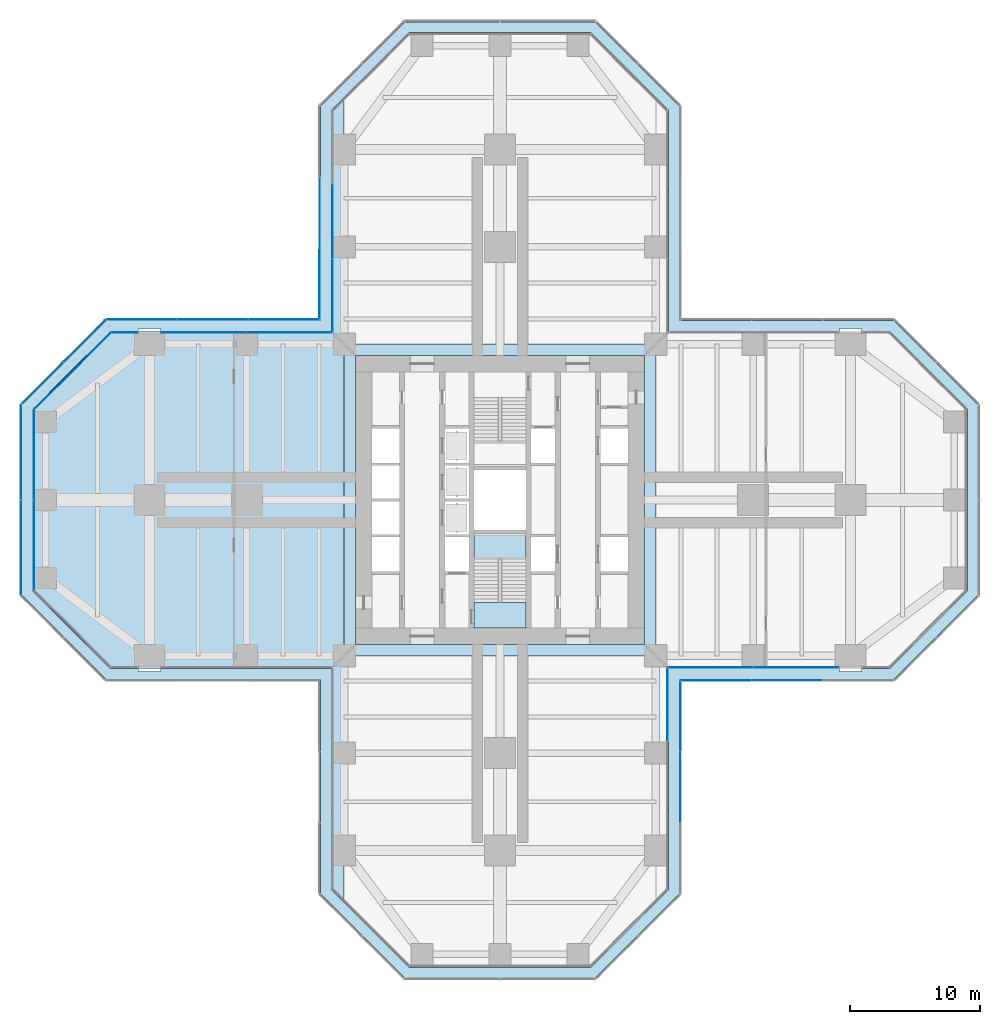
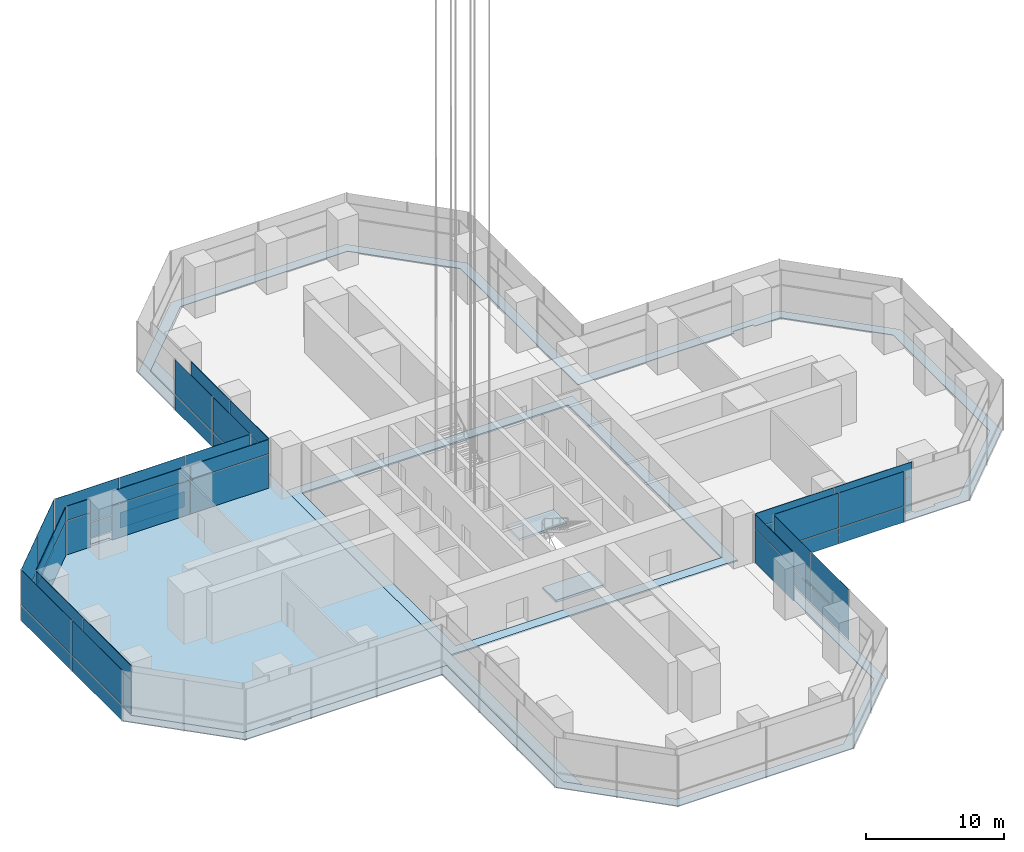
# One storey, part 14 of 27: 49 plates, 4 slabs, 14 elements without a shape of their own.
"""IFC4 building model written with IfcOpenShell, lengths in metres."""

from ifc_helpers import new_model, si_unit, direction, frame, origin, origin_2d, place, context, subcontext, project, spatial, polyline, rectangle, outline, extrude, material, layer, layer_set, type_object, element, aggregate, save


model = new_model("IFC4")

# Units and contexts
model_context = context("Model", 3, precision=1e-05, world=origin(), true_north=direction((0.0, 1.0)))
body_context = subcontext(model_context, "Body", "Model", "MODEL_VIEW")
ifc_project = project(units=[si_unit("LENGTHUNIT", "METRE"), si_unit("AREAUNIT", "SQUARE_METRE"), si_unit("VOLUMEUNIT", "CUBIC_METRE"), si_unit("PLANEANGLEUNIT", "RADIAN"), si_unit("MASSUNIT", "GRAM", prefix="KILO")], contexts=[model_context])

# Site, building, storey
site_placement = place(None, origin())
site = spatial("IfcSite", under=ifc_project, at=site_placement, CompositionType="ELEMENT")
building_placement = place(site_placement, origin())
building = spatial("IfcBuilding", under=site, at=building_placement, Name="Mizan Broadcast Tower", CompositionType="ELEMENT")
storey_placement = place(building_placement, frame((0.0, 0.0, 113.699951171875)))
storey = spatial("IfcBuildingStorey", under=building, at=storey_placement, Name="L25", CompositionType="ELEMENT", Elevation=113.699951171875)

# Plate
ifc_material_1 = material(Name="Aluminium grating", Category="aluminium")
ifc_layer_1 = layer(ifc_material_1, 0.050048828125)
ifc_layer_set_1 = layer_set([ifc_layer_1], Name="Aluminium grating")
plate_type_1 = type_object("IfcPlateType", Name="CAVITY GRATING", PredefinedType="USERDEFINED", material=ifc_layer_set_1)
plate_1_placement = place(storey_placement, frame((0.0, 0.0, -0.050048828125)))
element("IfcPlate", 1, at=plate_1_placement, inside=storey, type_object=plate_type_1, Name="Cavity grating L25", ObjectType="GRATING", PredefinedType="USERDEFINED", context=body_context, shape_type="SweptSolid", body=[
    extrude(outline(polyline([(7.339599609375, -36.820068359375), (13.820068359375, -30.339599609375), (13.820068359375, -13.820068359375), (30.339599609375, -13.820068359375), (36.820068359375, -7.339599609375), (36.820068359375, 7.339599609375), (30.339599609375, 13.820068359375), (13.820068359375, 13.820068359375), (13.820068359375, 30.339599609375), (7.339599609375, 36.820068359375), (-7.339599609375, 36.820068359375), (-13.820068359375, 30.339599609375), (-13.820068359375, 13.820068359375), (-30.339599609375, 13.820068359375), (-36.820068359375, 7.339599609375), (-36.820068359375, -7.339599609375), (-30.339599609375, -13.820068359375), (-13.820068359375, -13.820068359375), (-13.820068359375, -30.339599609375), (-7.339599609375, -36.820068359375), (7.339599609375, -36.820068359375)]), holes=[polyline([(36.0, -7.0), (30.0, -13.0), (27.85009765625, -13.0), (27.85009765625, -13.199951171875), (26.14990234375, -13.199951171875), (26.14990234375, -13.0), (13.0, -13.0), (13.0, -30.0), (7.0, -36.0), (-7.0, -36.0), (-13.0, -30.0), (-13.0, -13.0), (-26.14990234375, -13.0), (-26.14990234375, -13.199951171875), (-27.85009765625, -13.199951171875), (-27.85009765625, -13.0), (-30.0, -13.0), (-36.0, -7.0), (-36.0, 7.0), (-30.0, 13.0), (-27.85009765625, 13.0), (-27.85009765625, 13.199951171875), (-26.14990234375, 13.199951171875), (-26.14990234375, 13.0), (-13.0, 13.0), (-13.0, 30.0), (-7.0, 36.0), (7.0, 36.0), (13.0, 30.0), (13.0, 13.0), (26.14990234375, 13.0), (26.14990234375, 13.199951171875), (27.85009765625, 13.199951171875), (27.85009765625, 13.0), (30.0, 13.0), (36.0, 7.0), (36.0, -7.0)])]), origin(), (0.0, 0.0, 1.0), 0.050048828125),
])

# Slabs
ifc_material_2 = material(Name="Concrete C32/40", Category="concrete")
ifc_layer_2 = layer(ifc_material_2, 0.1298828125)
ifc_layer_set_2 = layer_set([ifc_layer_2], Name="Concrete C32/40")
slab_type_1 = type_object("IfcSlabType", Name="COMPOSITE DECK SLAB 130", PredefinedType="FLOOR", material=ifc_layer_set_2)
slab_1_placement = place(storey_placement, frame((0.0, 0.0, -0.1298828125)))
element("IfcSlab", 2, at=slab_1_placement, inside=storey, type_object=slab_type_1, Name="Floor slab L25 centre", PredefinedType="FLOOR", context=body_context, shape_type="SweptSolid", body=[
    extrude(outline(polyline([(-12.0, -12.0), (12.0, -12.0), (12.0, 12.0), (-12.0, 12.0), (-12.0, -12.0)]), holes=[polyline([(-11.14990234375, 11.14990234375), (11.14990234375, 11.14990234375), (11.14990234375, -11.14990234375), (-11.14990234375, -11.14990234375), (-11.14990234375, 11.14990234375)])]), origin(), (0.0, 0.0, 1.0), 0.1298828125),
])
slab_2_placement = place(storey_placement, frame((0.0, 0.0, -0.1298828125)))
element("IfcSlab", 3, at=slab_2_placement, inside=storey, type_object=slab_type_1, Name="Floor slab L25 west arm", PredefinedType="FLOOR", context=body_context, shape_type="SweptSolid", body=[
    extrude(outline(polyline([(-13.0, -30.0), (-12.0, -31.0), (-12.0, 31.0), (-13.0, 30.0), (-13.0, 13.0), (-30.0, 13.0), (-36.0, 7.0), (-36.0, -7.0), (-30.0, -13.0), (-13.0, -13.0), (-13.0, -30.0)])), origin(), (0.0, 0.0, 1.0), 0.1298828125),
])

# Curtain wall, plates
ifc_material_3 = material(Name="Aluminium framed glazing", Category="aluminium")
curtain_wall_type_1 = type_object("IfcCurtainWallType", Name="INNER SKIN MID ZONE", PredefinedType="USERDEFINED", material=ifc_material_3)
curtain_wall_1_placement = place(storey_placement, origin())
curtain_wall_1 = element("IfcCurtainWall", 4, at=curtain_wall_1_placement, inside=storey, type_object=curtain_wall_type_1, Name="Inner skin mid zone L25 E side", ObjectType="INNER SKIN MID ZONE", PredefinedType="USERDEFINED")
ifc_material_4 = material(Name="Double glazing, clear low-e", Category="glass")
ifc_layer_3 = layer(ifc_material_4, 0.028076171875)
ifc_layer_set_3 = layer_set([ifc_layer_3], Name="Double glazing, clear low-e")
plate_type_2 = type_object("IfcPlateType", Name="INNER SKIN GLAZING UNIT", PredefinedType="CURTAIN_PANEL", material=ifc_layer_set_3)
plate_2_placement = place(storey_placement, frame((16.2275390625, -12.89990234375, 0.0), z_axis=(0.0, 0.0, 1.0), x_axis=(1.0, 0.0, 0.0)))
plate_2 = element("IfcPlate", 5, at=plate_2_placement, type_object=plate_type_2, Name="Inner skin mid zone L25 E side panel 1.1", PredefinedType="CURTAIN_PANEL", context=body_context, shape_type="SweptSolid", body=[
    extrude(rectangle(XDim=6.534912109375, YDim=0.028076171875, at=origin_2d()), origin(), (0.0, 0.0, 1.0), 3.0),
])
plate_3_placement = place(storey_placement, frame((22.822509765625, -12.89990234375, 0.0), z_axis=(0.0, 0.0, 1.0), x_axis=(1.0, 0.0, 0.0)))
plate_3 = element("IfcPlate", 6, at=plate_3_placement, type_object=plate_type_2, Name="Inner skin mid zone L25 E side panel 2.1", PredefinedType="CURTAIN_PANEL", context=body_context, shape_type="SweptSolid", body=[
    extrude(rectangle(XDim=6.534912109375, YDim=0.028076171875, at=origin_2d()), origin(), (0.0, 0.0, 1.0), 3.0),
])

curtain_wall_2_placement = place(storey_placement, origin())
curtain_wall_2 = element("IfcCurtainWall", 7, at=curtain_wall_2_placement, inside=storey, type_object=curtain_wall_type_1, Name="Inner skin mid zone L25 N side", ObjectType="INNER SKIN MID ZONE", PredefinedType="USERDEFINED")
plate_4_placement = place(storey_placement, frame((-12.89990234375, 21.42919921875, 0.0), z_axis=(0.0, 0.0, 1.0), x_axis=(0.0, -1.0, 0.0)))
plate_4 = element("IfcPlate", 8, at=plate_4_placement, type_object=plate_type_2, Name="Inner skin mid zone L25 N side panel 2.1", PredefinedType="CURTAIN_PANEL", context=body_context, shape_type="SweptSolid", body=[
    extrude(rectangle(XDim=5.626220703125, YDim=0.028076171875, at=origin_2d()), origin(), (0.0, 0.0, 1.0), 3.0),
])
plate_5_placement = place(storey_placement, frame((-12.89990234375, 15.758056640625, 0.0), z_axis=(0.0, 0.0, 1.0), x_axis=(0.0, -1.0, 0.0)))
plate_5 = element("IfcPlate", 9, at=plate_5_placement, type_object=plate_type_2, Name="Inner skin mid zone L25 N side panel 3.1", PredefinedType="CURTAIN_PANEL", context=body_context, shape_type="SweptSolid", body=[
    extrude(rectangle(XDim=5.59619140625, YDim=0.028076171875, at=origin_2d()), origin(), (0.0, 0.0, 1.0), 3.0),
])

curtain_wall_3_placement = place(storey_placement, origin())
curtain_wall_3 = element("IfcCurtainWall", 10, at=curtain_wall_3_placement, inside=storey, type_object=curtain_wall_type_1, Name="Inner skin mid zone L25 W side", ObjectType="INNER SKIN MID ZONE", PredefinedType="USERDEFINED")
plate_6_placement = place(storey_placement, frame((-16.2275390625, 12.89990234375, 0.0), z_axis=(0.0, 0.0, 1.0), x_axis=(-1.0, 0.0, 0.0)))
plate_6 = element("IfcPlate", 11, at=plate_6_placement, type_object=plate_type_2, Name="Inner skin mid zone L25 W side panel 1.1", PredefinedType="CURTAIN_PANEL", context=body_context, shape_type="SweptSolid", body=[
    extrude(rectangle(XDim=6.534912109375, YDim=0.028076171875, at=origin_2d()), origin(), (0.0, 0.0, 1.0), 3.0),
])
plate_7_placement = place(storey_placement, frame((-22.822509765625, 12.89990234375, 0.0), z_axis=(0.0, 0.0, 1.0), x_axis=(-1.0, 0.0, 0.0)))
plate_7 = element("IfcPlate", 12, at=plate_7_placement, type_object=plate_type_2, Name="Inner skin mid zone L25 W side panel 2.1", PredefinedType="CURTAIN_PANEL", context=body_context, shape_type="SweptSolid", body=[
    extrude(rectangle(XDim=6.534912109375, YDim=0.028076171875, at=origin_2d()), origin(), (0.0, 0.0, 1.0), 3.0),
])

# Curtain wall, plate
curtain_wall_4_placement = place(storey_placement, origin())
curtain_wall_4 = element("IfcCurtainWall", 13, at=curtain_wall_4_placement, inside=storey, type_object=curtain_wall_type_1, Name="Inner skin mid zone L25 W side", ObjectType="INNER SKIN MID ZONE", PredefinedType="USERDEFINED")
plate_8_placement = place(storey_placement, frame((-28.904296875, 12.89990234375, 0.0), z_axis=(0.0, 0.0, 1.0), x_axis=(-1.0, 0.0, 0.0)))
plate_8 = element("IfcPlate", 14, at=plate_8_placement, type_object=plate_type_2, Name="Inner skin mid zone L25 W side panel 1.1", PredefinedType="CURTAIN_PANEL", context=body_context, shape_type="SweptSolid", body=[
    extrude(rectangle(XDim=1.988525390625, YDim=0.028076171875, at=origin_2d()), origin(), (0.0, 0.0, 1.0), 3.0),
])

curtain_wall_5_placement = place(storey_placement, origin())
curtain_wall_5 = element("IfcCurtainWall", 15, at=curtain_wall_5_placement, inside=storey, type_object=curtain_wall_type_1, Name="Inner skin mid zone L25 W chamfer", ObjectType="INNER SKIN MID ZONE", PredefinedType="USERDEFINED")
plate_9_placement = place(storey_placement, frame((-32.92919921875, 9.92919921875, 0.0), z_axis=(0.0, 0.0, 1.0), x_axis=(-0.707106781187, -0.707106781187, 0.0)))
plate_9 = element("IfcPlate", 16, at=plate_9_placement, type_object=plate_type_2, Name="Inner skin mid zone L25 W chamfer panel 1.1", PredefinedType="CURTAIN_PANEL", context=body_context, shape_type="SweptSolid", body=[
    extrude(rectangle(XDim=8.282470703125, YDim=0.028076171875, at=origin_2d()), origin(), (0.0, 0.0, 1.0), 3.0),
])

# Curtain wall, plates
curtain_wall_6_placement = place(storey_placement, origin())
curtain_wall_6 = element("IfcCurtainWall", 17, at=curtain_wall_6_placement, inside=storey, type_object=curtain_wall_type_1, Name="Inner skin mid zone L25 W end", ObjectType="INNER SKIN MID ZONE", PredefinedType="USERDEFINED")
plate_10_placement = place(storey_placement, frame((-35.89990234375, 3.46435546875, 0.0), z_axis=(0.0, 0.0, 1.0), x_axis=(0.0, -1.0, 0.0)))
plate_10 = element("IfcPlate", 18, at=plate_10_placement, type_object=plate_type_2, Name="Inner skin mid zone L25 W end panel 1.1", PredefinedType="CURTAIN_PANEL", context=body_context, shape_type="SweptSolid", body=[
    extrude(rectangle(XDim=6.86865234375, YDim=0.028076171875, at=origin_2d()), origin(), (0.0, 0.0, 1.0), 3.0),
])
plate_11_placement = place(storey_placement, frame((-35.89990234375, -3.46435546875, 0.0), z_axis=(0.0, 0.0, 1.0), x_axis=(0.0, -1.0, 0.0)))
plate_11 = element("IfcPlate", 19, at=plate_11_placement, type_object=plate_type_2, Name="Inner skin mid zone L25 W end panel 2.1", PredefinedType="CURTAIN_PANEL", context=body_context, shape_type="SweptSolid", body=[
    extrude(rectangle(XDim=6.86865234375, YDim=0.028076171875, at=origin_2d()), origin(), (0.0, 0.0, 1.0), 3.0),
])

# Curtain wall, plate
curtain_wall_7_placement = place(storey_placement, origin())
curtain_wall_7 = element("IfcCurtainWall", 20, at=curtain_wall_7_placement, inside=storey, type_object=curtain_wall_type_1, Name="Inner skin mid zone L25 S side", ObjectType="INNER SKIN MID ZONE", PredefinedType="USERDEFINED")
plate_12_placement = place(storey_placement, frame((12.89990234375, -15.758056640625, 0.0), z_axis=(0.0, 0.0, 1.0), x_axis=(0.0, 1.0, 0.0)))
plate_12 = element("IfcPlate", 21, at=plate_12_placement, type_object=plate_type_2, Name="Inner skin mid zone L25 S side panel 3.1", PredefinedType="CURTAIN_PANEL", context=body_context, shape_type="SweptSolid", body=[
    extrude(rectangle(XDim=5.59619140625, YDim=0.028076171875, at=origin_2d()), origin(), (0.0, 0.0, 1.0), 3.0),
])

# Plate
ifc_material_5 = material(Name="Insulated aluminium spandrel panel, pale anodised", Category="aluminium")
ifc_layer_4 = layer(ifc_material_5, 0.050048828125)
ifc_layer_set_4 = layer_set([ifc_layer_4], Name="Insulated aluminium spandrel panel, pale anodised")
plate_type_3 = type_object("IfcPlateType", Name="INNER SKIN SPANDREL PANEL", PredefinedType="CURTAIN_PANEL", material=ifc_layer_set_4)
plate_13_placement = place(storey_placement, frame((16.2275390625, -12.89990234375, 3.06005859375), z_axis=(0.0, 0.0, 1.0), x_axis=(1.0, 0.0, 0.0)))
plate_13 = element("IfcPlate", 22, at=plate_13_placement, type_object=plate_type_3, Name="Inner skin mid zone L25 E side panel 1.2", PredefinedType="CURTAIN_PANEL", context=body_context, shape_type="SweptSolid", body=[
    extrude(rectangle(XDim=6.534912109375, YDim=0.050048828125, at=origin_2d()), origin(), (0.0, 0.0, 1.0), 1.260009765625),
])

plate_14_placement = place(storey_placement, frame((22.822509765625, -12.89990234375, 3.06005859375), z_axis=(0.0, 0.0, 1.0), x_axis=(1.0, 0.0, 0.0)))
plate_14 = element("IfcPlate", 23, at=plate_14_placement, type_object=plate_type_3, Name="Inner skin mid zone L25 E side panel 2.2", PredefinedType="CURTAIN_PANEL", context=body_context, shape_type="SweptSolid", body=[
    extrude(rectangle(XDim=6.534912109375, YDim=0.050048828125, at=origin_2d()), origin(), (0.0, 0.0, 1.0), 1.260009765625),
])

aggregate(curtain_wall_1, [plate_2, plate_13, plate_3, plate_14])

plate_15_placement = place(storey_placement, frame((-12.89990234375, 21.42919921875, 3.06005859375), z_axis=(0.0, 0.0, 1.0), x_axis=(0.0, -1.0, 0.0)))
plate_15 = element("IfcPlate", 24, at=plate_15_placement, type_object=plate_type_3, Name="Inner skin mid zone L25 N side panel 2.2", PredefinedType="CURTAIN_PANEL", context=body_context, shape_type="SweptSolid", body=[
    extrude(rectangle(XDim=5.626220703125, YDim=0.050048828125, at=origin_2d()), origin(), (0.0, 0.0, 1.0), 1.260009765625),
])

plate_16_placement = place(storey_placement, frame((-12.89990234375, 15.758056640625, 3.06005859375), z_axis=(0.0, 0.0, 1.0), x_axis=(0.0, -1.0, 0.0)))
plate_16 = element("IfcPlate", 25, at=plate_16_placement, type_object=plate_type_3, Name="Inner skin mid zone L25 N side panel 3.2", PredefinedType="CURTAIN_PANEL", context=body_context, shape_type="SweptSolid", body=[
    extrude(rectangle(XDim=5.59619140625, YDim=0.050048828125, at=origin_2d()), origin(), (0.0, 0.0, 1.0), 1.260009765625),
])

aggregate(curtain_wall_2, [plate_4, plate_15, plate_5, plate_16])

plate_17_placement = place(storey_placement, frame((-16.2275390625, 12.89990234375, 3.06005859375), z_axis=(0.0, 0.0, 1.0), x_axis=(-1.0, 0.0, 0.0)))
plate_17 = element("IfcPlate", 26, at=plate_17_placement, type_object=plate_type_3, Name="Inner skin mid zone L25 W side panel 1.2", PredefinedType="CURTAIN_PANEL", context=body_context, shape_type="SweptSolid", body=[
    extrude(rectangle(XDim=6.534912109375, YDim=0.050048828125, at=origin_2d()), origin(), (0.0, 0.0, 1.0), 1.260009765625),
])

plate_18_placement = place(storey_placement, frame((-22.822509765625, 12.89990234375, 3.06005859375), z_axis=(0.0, 0.0, 1.0), x_axis=(-1.0, 0.0, 0.0)))
plate_18 = element("IfcPlate", 27, at=plate_18_placement, type_object=plate_type_3, Name="Inner skin mid zone L25 W side panel 2.2", PredefinedType="CURTAIN_PANEL", context=body_context, shape_type="SweptSolid", body=[
    extrude(rectangle(XDim=6.534912109375, YDim=0.050048828125, at=origin_2d()), origin(), (0.0, 0.0, 1.0), 1.260009765625),
])

aggregate(curtain_wall_3, [plate_6, plate_17, plate_7, plate_18])

plate_19_placement = place(storey_placement, frame((-28.904296875, 12.89990234375, 3.06005859375), z_axis=(0.0, 0.0, 1.0), x_axis=(-1.0, 0.0, 0.0)))
plate_19 = element("IfcPlate", 28, at=plate_19_placement, type_object=plate_type_3, Name="Inner skin mid zone L25 W side panel 1.2", PredefinedType="CURTAIN_PANEL", context=body_context, shape_type="SweptSolid", body=[
    extrude(rectangle(XDim=1.988525390625, YDim=0.050048828125, at=origin_2d()), origin(), (0.0, 0.0, 1.0), 1.260009765625),
])

aggregate(curtain_wall_4, [plate_8, plate_19])

plate_20_placement = place(storey_placement, frame((-32.92919921875, 9.92919921875, 3.06005859375), z_axis=(0.0, 0.0, 1.0), x_axis=(-0.707106781187, -0.707106781187, 0.0)))
plate_20 = element("IfcPlate", 29, at=plate_20_placement, type_object=plate_type_3, Name="Inner skin mid zone L25 W chamfer panel 1.2", PredefinedType="CURTAIN_PANEL", context=body_context, shape_type="SweptSolid", body=[
    extrude(rectangle(XDim=8.282470703125, YDim=0.050048828125, at=origin_2d()), origin(), (0.0, 0.0, 1.0), 1.260009765625),
])

aggregate(curtain_wall_5, [plate_9, plate_20])

plate_21_placement = place(storey_placement, frame((-35.89990234375, 3.46435546875, 3.06005859375), z_axis=(0.0, 0.0, 1.0), x_axis=(0.0, -1.0, 0.0)))
plate_21 = element("IfcPlate", 30, at=plate_21_placement, type_object=plate_type_3, Name="Inner skin mid zone L25 W end panel 1.2", PredefinedType="CURTAIN_PANEL", context=body_context, shape_type="SweptSolid", body=[
    extrude(rectangle(XDim=6.86865234375, YDim=0.050048828125, at=origin_2d()), origin(), (0.0, 0.0, 1.0), 1.260009765625),
])

plate_22_placement = place(storey_placement, frame((-35.89990234375, -3.46435546875, 3.06005859375), z_axis=(0.0, 0.0, 1.0), x_axis=(0.0, -1.0, 0.0)))
plate_22 = element("IfcPlate", 31, at=plate_22_placement, type_object=plate_type_3, Name="Inner skin mid zone L25 W end panel 2.2", PredefinedType="CURTAIN_PANEL", context=body_context, shape_type="SweptSolid", body=[
    extrude(rectangle(XDim=6.86865234375, YDim=0.050048828125, at=origin_2d()), origin(), (0.0, 0.0, 1.0), 1.260009765625),
])

aggregate(curtain_wall_6, [plate_10, plate_21, plate_11, plate_22])

plate_23_placement = place(storey_placement, frame((12.89990234375, -15.758056640625, 3.06005859375), z_axis=(0.0, 0.0, 1.0), x_axis=(0.0, 1.0, 0.0)))
plate_23 = element("IfcPlate", 32, at=plate_23_placement, type_object=plate_type_3, Name="Inner skin mid zone L25 S side panel 3.2", PredefinedType="CURTAIN_PANEL", context=body_context, shape_type="SweptSolid", body=[
    extrude(rectangle(XDim=5.59619140625, YDim=0.050048828125, at=origin_2d()), origin(), (0.0, 0.0, 1.0), 1.260009765625),
])

aggregate(curtain_wall_7, [plate_12, plate_23])

# Curtain wall, plates
ifc_material_6 = material(Name="Aluminium framed glazing", Category="aluminium")
curtain_wall_type_2 = type_object("IfcCurtainWallType", Name="OUTER SKIN", PredefinedType="USERDEFINED", material=ifc_material_6)
curtain_wall_8_placement = place(storey_placement, origin())
curtain_wall_8 = element("IfcCurtainWall", 33, at=curtain_wall_8_placement, inside=storey, type_object=curtain_wall_type_2, Name="Outer skin L25 E side", ObjectType="OUTER SKIN", PredefinedType="USERDEFINED")
ifc_material_7 = material(Name="Laminated clear glass", Category="glass")
ifc_layer_5 = layer(ifc_material_7, 0.02001953125)
ifc_layer_set_5 = layer_set([ifc_layer_5], Name="Laminated clear glass")
plate_type_4 = type_object("IfcPlateType", Name="OUTER SKIN CLEAR GLASS", PredefinedType="CURTAIN_PANEL", material=ifc_layer_set_5)
plate_24_placement = place(storey_placement, frame((16.66552734375, -13.89990234375, 0.0), z_axis=(0.0, 0.0, 1.0), x_axis=(1.0, 0.0, 0.0)))
plate_24 = element("IfcPlate", 34, at=plate_24_placement, type_object=plate_type_4, Name="Outer skin L25 E side panel 1.1", PredefinedType="CURTAIN_PANEL", context=body_context, shape_type="SweptSolid", body=[
    extrude(rectangle(XDim=5.370849609375, YDim=0.02001953125, at=origin_2d()), origin(), (0.0, 0.0, 1.0), 1.3701171875),
])
plate_25_placement = place(storey_placement, frame((16.66552734375, -13.89990234375, 1.43017578125), z_axis=(0.0, 0.0, 1.0), x_axis=(1.0, 0.0, 0.0)))
plate_25 = element("IfcPlate", 35, at=plate_25_placement, type_object=plate_type_4, Name="Outer skin L25 E side panel 1.2", PredefinedType="CURTAIN_PANEL", context=body_context, shape_type="SweptSolid", body=[
    extrude(rectangle(XDim=5.370849609375, YDim=0.02001953125, at=origin_2d()), origin(), (0.0, 0.0, 1.0), 3.070068359375),
])

curtain_wall_9_placement = place(storey_placement, origin())
curtain_wall_9 = element("IfcCurtainWall", 36, at=curtain_wall_9_placement, inside=storey, type_object=curtain_wall_type_2, Name="Outer skin L25 N side", ObjectType="OUTER SKIN", PredefinedType="USERDEFINED")
plate_26_placement = place(storey_placement, frame((-13.89990234375, 16.66552734375, 0.0), z_axis=(0.0, 0.0, 1.0), x_axis=(0.0, -1.0, 0.0)))
plate_26 = element("IfcPlate", 37, at=plate_26_placement, type_object=plate_type_4, Name="Outer skin L25 N side panel 3.1", PredefinedType="CURTAIN_PANEL", context=body_context, shape_type="SweptSolid", body=[
    extrude(rectangle(XDim=5.370849609375, YDim=0.02001953125, at=origin_2d()), origin(), (0.0, 0.0, 1.0), 1.3701171875),
])
plate_27_placement = place(storey_placement, frame((-13.89990234375, 16.66552734375, 1.43017578125), z_axis=(0.0, 0.0, 1.0), x_axis=(0.0, -1.0, 0.0)))
plate_27 = element("IfcPlate", 38, at=plate_27_placement, type_object=plate_type_4, Name="Outer skin L25 N side panel 3.2", PredefinedType="CURTAIN_PANEL", context=body_context, shape_type="SweptSolid", body=[
    extrude(rectangle(XDim=5.370849609375, YDim=0.02001953125, at=origin_2d()), origin(), (0.0, 0.0, 1.0), 3.070068359375),
])

curtain_wall_10_placement = place(storey_placement, origin())
curtain_wall_10 = element("IfcCurtainWall", 39, at=curtain_wall_10_placement, inside=storey, type_object=curtain_wall_type_2, Name="Outer skin L25 W side", ObjectType="OUTER SKIN", PredefinedType="USERDEFINED")
plate_28_placement = place(storey_placement, frame((-16.66552734375, 13.89990234375, 0.0), z_axis=(0.0, 0.0, 1.0), x_axis=(-1.0, 0.0, 0.0)))
plate_28 = element("IfcPlate", 40, at=plate_28_placement, type_object=plate_type_4, Name="Outer skin L25 W side panel 1.1", PredefinedType="CURTAIN_PANEL", context=body_context, shape_type="SweptSolid", body=[
    extrude(rectangle(XDim=5.370849609375, YDim=0.02001953125, at=origin_2d()), origin(), (0.0, 0.0, 1.0), 1.3701171875),
])
plate_29_placement = place(storey_placement, frame((-16.66552734375, 13.89990234375, 1.43017578125), z_axis=(0.0, 0.0, 1.0), x_axis=(-1.0, 0.0, 0.0)))
plate_29 = element("IfcPlate", 41, at=plate_29_placement, type_object=plate_type_4, Name="Outer skin L25 W side panel 1.2", PredefinedType="CURTAIN_PANEL", context=body_context, shape_type="SweptSolid", body=[
    extrude(rectangle(XDim=5.370849609375, YDim=0.02001953125, at=origin_2d()), origin(), (0.0, 0.0, 1.0), 3.070068359375),
])
plate_30_placement = place(storey_placement, frame((-22.136474609375, 13.89990234375, 0.0), z_axis=(0.0, 0.0, 1.0), x_axis=(-1.0, 0.0, 0.0)))
plate_30 = element("IfcPlate", 42, at=plate_30_placement, type_object=plate_type_4, Name="Outer skin L25 W side panel 2.1", PredefinedType="CURTAIN_PANEL", context=body_context, shape_type="SweptSolid", body=[
    extrude(rectangle(XDim=5.410888671875, YDim=0.02001953125, at=origin_2d()), origin(), (0.0, 0.0, 1.0), 1.3701171875),
])
plate_31_placement = place(storey_placement, frame((-22.136474609375, 13.89990234375, 1.43017578125), z_axis=(0.0, 0.0, 1.0), x_axis=(-1.0, 0.0, 0.0)))
plate_31 = element("IfcPlate", 43, at=plate_31_placement, type_object=plate_type_4, Name="Outer skin L25 W side panel 2.2", PredefinedType="CURTAIN_PANEL", context=body_context, shape_type="SweptSolid", body=[
    extrude(rectangle(XDim=5.410888671875, YDim=0.02001953125, at=origin_2d()), origin(), (0.0, 0.0, 1.0), 3.070068359375),
])
plate_32_placement = place(storey_placement, frame((-27.607421875, 13.89990234375, 0.0), z_axis=(0.0, 0.0, 1.0), x_axis=(-1.0, 0.0, 0.0)))
plate_32 = element("IfcPlate", 44, at=plate_32_placement, type_object=plate_type_4, Name="Outer skin L25 W side panel 3.1", PredefinedType="CURTAIN_PANEL", context=body_context, shape_type="SweptSolid", body=[
    extrude(rectangle(XDim=5.370849609375, YDim=0.02001953125, at=origin_2d()), origin(), (0.0, 0.0, 1.0), 1.3701171875),
])
plate_33_placement = place(storey_placement, frame((-27.607421875, 13.89990234375, 1.43017578125), z_axis=(0.0, 0.0, 1.0), x_axis=(-1.0, 0.0, 0.0)))
plate_33 = element("IfcPlate", 45, at=plate_33_placement, type_object=plate_type_4, Name="Outer skin L25 W side panel 3.2", PredefinedType="CURTAIN_PANEL", context=body_context, shape_type="SweptSolid", body=[
    extrude(rectangle(XDim=5.370849609375, YDim=0.02001953125, at=origin_2d()), origin(), (0.0, 0.0, 1.0), 3.070068359375),
])
aggregate(curtain_wall_10, [plate_28, plate_29, plate_30, plate_31, plate_32, plate_33])

curtain_wall_11_placement = place(storey_placement, origin())
curtain_wall_11 = element("IfcCurtainWall", 46, at=curtain_wall_11_placement, inside=storey, type_object=curtain_wall_type_2, Name="Outer skin L25 W chamfer", ObjectType="OUTER SKIN", PredefinedType="USERDEFINED")
plate_34_placement = place(storey_placement, frame((-32.018798828125, 12.254150390625, 0.0), z_axis=(0.0, 0.0, 1.0), x_axis=(-0.707106781187, -0.707106781187, 0.0)))
plate_34 = element("IfcPlate", 47, at=plate_34_placement, type_object=plate_type_4, Name="Outer skin L25 W chamfer panel 1.1", PredefinedType="CURTAIN_PANEL", context=body_context, shape_type="SweptSolid", body=[
    extrude(rectangle(XDim=4.495361328125, YDim=0.02001953125, at=origin_2d()), origin(), (0.0, 0.0, 1.0), 1.3701171875),
])
plate_35_placement = place(storey_placement, frame((-32.018798828125, 12.254150390625, 1.43017578125), z_axis=(0.0, 0.0, 1.0), x_axis=(-0.707106781187, -0.707106781187, 0.0)))
plate_35 = element("IfcPlate", 48, at=plate_35_placement, type_object=plate_type_4, Name="Outer skin L25 W chamfer panel 1.2", PredefinedType="CURTAIN_PANEL", context=body_context, shape_type="SweptSolid", body=[
    extrude(rectangle(XDim=4.495361328125, YDim=0.02001953125, at=origin_2d()), origin(), (0.0, 0.0, 1.0), 3.070068359375),
])

curtain_wall_12_placement = place(storey_placement, origin())
curtain_wall_12 = element("IfcCurtainWall", 49, at=curtain_wall_12_placement, inside=storey, type_object=curtain_wall_type_2, Name="Outer skin L25 W end", ObjectType="OUTER SKIN", PredefinedType="USERDEFINED")
plate_36_placement = place(storey_placement, frame((-36.89990234375, 3.66650390625, 0.0), z_axis=(0.0, 0.0, 1.0), x_axis=(0.0, -1.0, 0.0)))
plate_36 = element("IfcPlate", 50, at=plate_36_placement, type_object=plate_type_4, Name="Outer skin L25 W end panel 1.1", PredefinedType="CURTAIN_PANEL", context=body_context, shape_type="SweptSolid", body=[
    extrude(rectangle(XDim=7.252685546875, YDim=0.02001953125, at=origin_2d()), origin(), (0.0, 0.0, 1.0), 1.3701171875),
])
plate_37_placement = place(storey_placement, frame((-36.89990234375, 3.66650390625, 1.43017578125), z_axis=(0.0, 0.0, 1.0), x_axis=(0.0, -1.0, 0.0)))
plate_37 = element("IfcPlate", 51, at=plate_37_placement, type_object=plate_type_4, Name="Outer skin L25 W end panel 1.2", PredefinedType="CURTAIN_PANEL", context=body_context, shape_type="SweptSolid", body=[
    extrude(rectangle(XDim=7.252685546875, YDim=0.02001953125, at=origin_2d()), origin(), (0.0, 0.0, 1.0), 3.070068359375),
])

curtain_wall_13_placement = place(storey_placement, origin())
curtain_wall_13 = element("IfcCurtainWall", 52, at=curtain_wall_13_placement, inside=storey, type_object=curtain_wall_type_2, Name="Outer skin L25 S side", ObjectType="OUTER SKIN", PredefinedType="USERDEFINED")
plate_38_placement = place(storey_placement, frame((13.89990234375, -16.66552734375, 0.0), z_axis=(0.0, 0.0, 1.0), x_axis=(0.0, 1.0, 0.0)))
plate_38 = element("IfcPlate", 53, at=plate_38_placement, type_object=plate_type_4, Name="Outer skin L25 S side panel 3.1", PredefinedType="CURTAIN_PANEL", context=body_context, shape_type="SweptSolid", body=[
    extrude(rectangle(XDim=5.370849609375, YDim=0.02001953125, at=origin_2d()), origin(), (0.0, 0.0, 1.0), 1.3701171875),
])
plate_39_placement = place(storey_placement, frame((13.89990234375, -16.66552734375, 1.43017578125), z_axis=(0.0, 0.0, 1.0), x_axis=(0.0, 1.0, 0.0)))
plate_39 = element("IfcPlate", 54, at=plate_39_placement, type_object=plate_type_4, Name="Outer skin L25 S side panel 3.2", PredefinedType="CURTAIN_PANEL", context=body_context, shape_type="SweptSolid", body=[
    extrude(rectangle(XDim=5.370849609375, YDim=0.02001953125, at=origin_2d()), origin(), (0.0, 0.0, 1.0), 3.070068359375),
])

# Plate
ifc_material_8 = material(Name="Perforated aluminium, pale anodised", Category="aluminium")
ifc_layer_6 = layer(ifc_material_8, 0.011962890625)
ifc_layer_set_6 = layer_set([ifc_layer_6], Name="Perforated aluminium, pale anodised")
plate_type_5 = type_object("IfcPlateType", Name="OUTER SKIN PERFORATED SCREEN", PredefinedType="USERDEFINED", material=ifc_layer_set_6)
plate_40_placement = place(storey_placement, frame((22.136474609375, -13.89990234375, 0.0), z_axis=(0.0, 0.0, 1.0), x_axis=(1.0, 0.0, 0.0)))
plate_40 = element("IfcPlate", 55, at=plate_40_placement, type_object=plate_type_5, Name="Outer skin L25 E side panel 2.1", ObjectType="SCREEN", PredefinedType="USERDEFINED", context=body_context, shape_type="SweptSolid", body=[
    extrude(rectangle(XDim=5.410888671875, YDim=0.011962890625, at=origin_2d()), origin(), (0.0, 0.0, 1.0), 1.3701171875),
])

plate_41_placement = place(storey_placement, frame((22.136474609375, -13.89990234375, 1.43017578125), z_axis=(0.0, 0.0, 1.0), x_axis=(1.0, 0.0, 0.0)))
plate_41 = element("IfcPlate", 56, at=plate_41_placement, type_object=plate_type_5, Name="Outer skin L25 E side panel 2.2", ObjectType="SCREEN", PredefinedType="USERDEFINED", context=body_context, shape_type="SweptSolid", body=[
    extrude(rectangle(XDim=5.410888671875, YDim=0.011962890625, at=origin_2d()), origin(), (0.0, 0.0, 1.0), 3.070068359375),
])

aggregate(curtain_wall_8, [plate_24, plate_25, plate_40, plate_41])

plate_42_placement = place(storey_placement, frame((-13.89990234375, 22.136474609375, 0.0), z_axis=(0.0, 0.0, 1.0), x_axis=(0.0, -1.0, 0.0)))
plate_42 = element("IfcPlate", 57, at=plate_42_placement, type_object=plate_type_5, Name="Outer skin L25 N side panel 2.1", ObjectType="SCREEN", PredefinedType="USERDEFINED", context=body_context, shape_type="SweptSolid", body=[
    extrude(rectangle(XDim=5.410888671875, YDim=0.011962890625, at=origin_2d()), origin(), (0.0, 0.0, 1.0), 1.3701171875),
])

plate_43_placement = place(storey_placement, frame((-13.89990234375, 22.136474609375, 1.43017578125), z_axis=(0.0, 0.0, 1.0), x_axis=(0.0, -1.0, 0.0)))
plate_43 = element("IfcPlate", 58, at=plate_43_placement, type_object=plate_type_5, Name="Outer skin L25 N side panel 2.2", ObjectType="SCREEN", PredefinedType="USERDEFINED", context=body_context, shape_type="SweptSolid", body=[
    extrude(rectangle(XDim=5.410888671875, YDim=0.011962890625, at=origin_2d()), origin(), (0.0, 0.0, 1.0), 3.070068359375),
])

aggregate(curtain_wall_9, [plate_42, plate_43, plate_26, plate_27])

plate_44_placement = place(storey_placement, frame((-35.254150390625, 9.018798828125, 0.0), z_axis=(0.0, 0.0, 1.0), x_axis=(-0.707106781187, -0.707106781187, 0.0)))
plate_44 = element("IfcPlate", 59, at=plate_44_placement, type_object=plate_type_5, Name="Outer skin L25 W chamfer panel 2.1", ObjectType="SCREEN", PredefinedType="USERDEFINED", context=body_context, shape_type="SweptSolid", body=[
    extrude(rectangle(XDim=4.495361328125, YDim=0.011962890625, at=origin_2d()), origin(), (0.0, 0.0, 1.0), 1.3701171875),
])

plate_45_placement = place(storey_placement, frame((-35.254150390625, 9.018798828125, 1.43017578125), z_axis=(0.0, 0.0, 1.0), x_axis=(-0.707106781187, -0.707106781187, 0.0)))
plate_45 = element("IfcPlate", 60, at=plate_45_placement, type_object=plate_type_5, Name="Outer skin L25 W chamfer panel 2.2", ObjectType="SCREEN", PredefinedType="USERDEFINED", context=body_context, shape_type="SweptSolid", body=[
    extrude(rectangle(XDim=4.495361328125, YDim=0.011962890625, at=origin_2d()), origin(), (0.0, 0.0, 1.0), 3.070068359375),
])

aggregate(curtain_wall_11, [plate_34, plate_35, plate_44, plate_45])

plate_46_placement = place(storey_placement, frame((-36.89990234375, -3.66650390625, 0.0), z_axis=(0.0, 0.0, 1.0), x_axis=(0.0, -1.0, 0.0)))
plate_46 = element("IfcPlate", 61, at=plate_46_placement, type_object=plate_type_5, Name="Outer skin L25 W end panel 2.1", ObjectType="SCREEN", PredefinedType="USERDEFINED", context=body_context, shape_type="SweptSolid", body=[
    extrude(rectangle(XDim=7.252685546875, YDim=0.011962890625, at=origin_2d()), origin(), (0.0, 0.0, 1.0), 1.3701171875),
])

plate_47_placement = place(storey_placement, frame((-36.89990234375, -3.66650390625, 1.43017578125), z_axis=(0.0, 0.0, 1.0), x_axis=(0.0, -1.0, 0.0)))
plate_47 = element("IfcPlate", 62, at=plate_47_placement, type_object=plate_type_5, Name="Outer skin L25 W end panel 2.2", ObjectType="SCREEN", PredefinedType="USERDEFINED", context=body_context, shape_type="SweptSolid", body=[
    extrude(rectangle(XDim=7.252685546875, YDim=0.011962890625, at=origin_2d()), origin(), (0.0, 0.0, 1.0), 3.070068359375),
])

aggregate(curtain_wall_12, [plate_36, plate_37, plate_46, plate_47])

plate_48_placement = place(storey_placement, frame((13.89990234375, -22.136474609375, 0.0), z_axis=(0.0, 0.0, 1.0), x_axis=(0.0, 1.0, 0.0)))
plate_48 = element("IfcPlate", 63, at=plate_48_placement, type_object=plate_type_5, Name="Outer skin L25 S side panel 2.1", ObjectType="SCREEN", PredefinedType="USERDEFINED", context=body_context, shape_type="SweptSolid", body=[
    extrude(rectangle(XDim=5.410888671875, YDim=0.011962890625, at=origin_2d()), origin(), (0.0, 0.0, 1.0), 1.3701171875),
])

plate_49_placement = place(storey_placement, frame((13.89990234375, -22.136474609375, 1.43017578125), z_axis=(0.0, 0.0, 1.0), x_axis=(0.0, 1.0, 0.0)))
plate_49 = element("IfcPlate", 64, at=plate_49_placement, type_object=plate_type_5, Name="Outer skin L25 S side panel 2.2", ObjectType="SCREEN", PredefinedType="USERDEFINED", context=body_context, shape_type="SweptSolid", body=[
    extrude(rectangle(XDim=5.410888671875, YDim=0.011962890625, at=origin_2d()), origin(), (0.0, 0.0, 1.0), 3.070068359375),
])

aggregate(curtain_wall_13, [plate_48, plate_49, plate_38, plate_39])

# Stair, slabs
ifc_material_9 = material(Name="Concrete C40/50", Category="concrete")
stair_type = type_object("IfcStairType", Name="EXIT STAIR", PredefinedType="HALF_TURN_STAIR", material=ifc_material_9)
stair_placement = place(storey_placement, origin())
stair = element("IfcStair", 65, at=stair_placement, inside=storey, type_object=stair_type, Name="Stair A L25", PredefinedType="HALF_TURN_STAIR")
ifc_material_10 = material(Name="Concrete C40/50", Category="concrete")
ifc_layer_7 = layer(ifc_material_10, 0.199951171875)
ifc_layer_set_7 = layer_set([ifc_layer_7], Name="Concrete C40/50")
slab_type_2 = type_object("IfcSlabType", Name="STAIR LANDING 200", PredefinedType="LANDING", material=ifc_layer_set_7)
slab_3_placement = place(storey_placement, frame((0.0, 0.0, -0.199951171875)))
slab_3 = element("IfcSlab", 66, at=slab_3_placement, type_object=slab_type_2, Name="A landing 1", PredefinedType="LANDING", context=body_context, shape_type="SweptSolid", body=[
    extrude(outline(polyline([(-2.0, -9.85009765625), (-2.0, -7.89990234375), (2.0, -7.89990234375), (2.0, -9.85009765625), (-2.0, -9.85009765625)])), origin(), (0.0, 0.0, 1.0), 0.199951171875),
])
slab_4_placement = place(storey_placement, frame((0.0, 0.0, 2.050048828125)))
slab_4 = element("IfcSlab", 67, at=slab_4_placement, type_object=slab_type_2, Name="A landing 2", PredefinedType="LANDING", context=body_context, shape_type="SweptSolid", body=[
    extrude(outline(polyline([(-2.0, -4.5400390625), (-2.0, -2.574951171875), (2.0, -2.574951171875), (2.0, -4.5400390625), (-2.0, -4.5400390625)])), origin(), (0.0, 0.0, 1.0), 0.199951171875),
])
aggregate(stair, [slab_3, slab_4])

save(model, "model.ifc")
